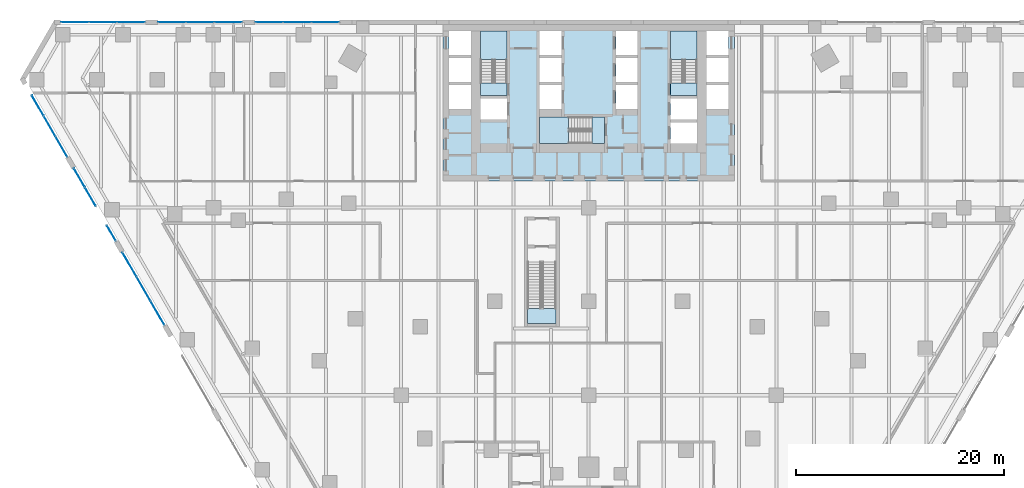
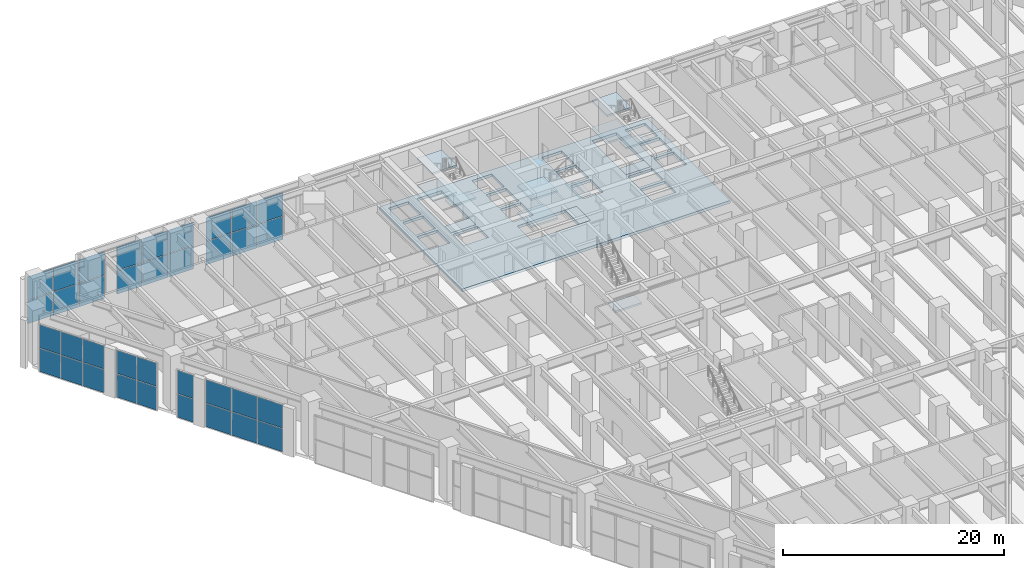
# One storey, part 28 of 37: 36 plates, 14 slabs, 11 elements without a shape of their own.
"""IFC4 building model written with IfcOpenShell, lengths in metres."""

import ifcopenshell
import ifcopenshell.guid

model = None  # the IFC model being written
_history = None  # IfcOwnerHistory: only IFC2X3 demands one
_inside = {}  # id of a spatial element -> (the spatial element, [elements in it])
_under = {}  # id of a project, library or spatial element -> (it, [spatial elements below it])
_declared = {}  # id of a project -> (the project, [libraries it declares])
_typed = {}  # id of a type object -> (the type object, [elements of that type])
_made_of = {}  # id of a material, layer set ... -> (it, [elements and type objects made of it])


def new_model(schema):
    """Start an empty IFC model of exactly this schema.

    Asked for "IFC4X3", IfcOpenShell would pick the latest addendum, in which some entities
    have other attributes; the version numbers below select the first issue.
    IFC2X3 requires an IfcOwnerHistory on every rooted entity: one is made here for all.
    """
    global model, _history
    if schema == "IFC4X3":
        model = ifcopenshell.file(schema_version=(4, 3, 0, 0))
    else:
        model = ifcopenshell.file(schema=schema)
    _inside.clear()
    _under.clear()
    _declared.clear()
    _typed.clear()
    _made_of.clear()
    _history = None
    if model.schema == "IFC2X3":
        org = make("IfcOrganization", Name="unknown")
        user = make(
            "IfcPersonAndOrganization",
            ThePerson=make("IfcPerson", FamilyName="unknown"),
            TheOrganization=org,
        )
        app = make(
            "IfcApplication",
            ApplicationDeveloper=org,
            Version="unknown",
            ApplicationFullName="unknown",
            ApplicationIdentifier="unknown",
        )
        _history = make(
            "IfcOwnerHistory",
            OwningUser=user,
            OwningApplication=app,
            ChangeAction="ADDED",
            CreationDate=0,
        )
    return model


def make(cls, **values):
    """One entity of the class cls with the attributes given. An attribute that is None is left unset."""
    return model.create_entity(
        cls, **{name: value for name, value in values.items() if value is not None}
    )


def rooted(cls, **values):
    """An entity with a GlobalId (a new one), such as an element, a storey or a relation."""
    return make(cls, GlobalId=ifcopenshell.guid.new(), OwnerHistory=_history, **values)


def si_unit(unit_type, name, prefix=None):
    """IfcSIUnit, for example si_unit("LENGTHUNIT", "METRE", prefix="MILLI")."""
    return make("IfcSIUnit", UnitType=unit_type, Prefix=prefix, Name=name)


def assignment(units):
    """IfcUnitAssignment: the units of a project."""
    return None if units is None else make("IfcUnitAssignment", Units=units)


def point(xyz):
    """IfcCartesianPoint."""
    return None if xyz is None else make("IfcCartesianPoint", Coordinates=xyz)


def direction(xyz):
    """IfcDirection."""
    return None if xyz is None else make("IfcDirection", DirectionRatios=xyz)


def frame(location, z_axis=None, x_axis=None):
    """IfcAxis2Placement3D, a coordinate frame: its origin and axes. An axis left out is left unset."""
    return make(
        "IfcAxis2Placement3D",
        Location=point(location),
        Axis=direction(z_axis),
        RefDirection=direction(x_axis),
    )


def frame_2d(location, x_axis=None):
    """IfcAxis2Placement2D, a coordinate frame in the plane: its origin and x axis."""
    return make(
        "IfcAxis2Placement2D", Location=point(location), RefDirection=direction(x_axis)
    )


def origin():
    """The frame at (0, 0, 0) with its axes left unset."""
    return frame((0.0, 0.0, 0.0))


def origin_2d():
    """The frame at (0, 0) in the plane with its x axis left unset."""
    return frame_2d((0.0, 0.0))


def place(relative_to, where):
    """IfcLocalPlacement: puts the frame where relative to a parent placement (None: the world)."""
    return make(
        "IfcLocalPlacement", PlacementRelTo=relative_to, RelativePlacement=where
    )


def context(
    kind, dimensions, precision=None, world=None, true_north=None, identifier=None
):
    """IfcGeometricRepresentationContext, for example the 3D "Model" context."""
    return make(
        "IfcGeometricRepresentationContext",
        ContextIdentifier=identifier,
        ContextType=kind,
        CoordinateSpaceDimension=dimensions,
        Precision=precision,
        WorldCoordinateSystem=world,
        TrueNorth=true_north,
    )


def subcontext(parent, identifier, kind, view, scale=None):
    """IfcGeometricRepresentationSubContext, for example "Body" below "Model"."""
    return make(
        "IfcGeometricRepresentationSubContext",
        ContextIdentifier=identifier,
        ContextType=kind,
        ParentContext=parent,
        TargetScale=scale,
        TargetView=view,
    )


def project(units=None, contexts=None):
    """IfcProject with its units and contexts."""
    return rooted(
        "IfcProject",
        Name="project",
        RepresentationContexts=contexts,
        UnitsInContext=assignment(units),
    )


def spatial(cls, under=None, at=None, **own):
    """A site, building, storey or space (cls), placed at a placement, below another one or the project."""
    s = rooted(cls, ObjectPlacement=at, **own)
    if under is not None:
        _under.setdefault(under.id(), (under, []))[1].append(s)
    return s


def polyline(points):
    """IfcPolyline through the points."""
    return make("IfcPolyline", Points=[point(p) for p in points])


def profile(cls, at=None, kind="AREA", **sizes):
    """A parametric profile (cls). Its sizes go by their IFC names, for example OverallWidth=200.0."""
    return make(cls, ProfileType=kind, Position=at, **sizes)


def rectangle(**sizes):
    """IfcRectangleProfileDef."""
    return profile("IfcRectangleProfileDef", **sizes)


def outline(outer, holes=None, kind="AREA"):
    """IfcArbitraryClosedProfileDef: a profile drawn as a closed curve; with holes, ...WithVoids."""
    if holes is None:
        return make("IfcArbitraryClosedProfileDef", ProfileType=kind, OuterCurve=outer)
    return make(
        "IfcArbitraryProfileDefWithVoids",
        ProfileType=kind,
        OuterCurve=outer,
        InnerCurves=holes,
    )


def extrude(swept, where, along, depth):
    """IfcExtrudedAreaSolid: the profile swept, set in the frame where, extruded along a direction by depth."""
    return make(
        "IfcExtrudedAreaSolid",
        SweptArea=swept,
        Position=where,
        ExtrudedDirection=direction(along),
        Depth=depth,
    )


def shape(context_of_items, identifier, shape_type, items):
    """IfcShapeRepresentation: the items that make up one representation, for example the "Body"."""
    return make(
        "IfcShapeRepresentation",
        ContextOfItems=context_of_items,
        RepresentationIdentifier=identifier,
        RepresentationType=shape_type,
        Items=items,
    )


def material(Name=None, Category=None):
    """IfcMaterial."""
    return make("IfcMaterial", Name=Name, Category=Category)


def layer(
    of_material, thickness, ventilated=None, Name=None, Category=None, Priority=None
):
    """IfcMaterialLayer: one layer of a wall or slab, of a material (None: an air gap)."""
    return make(
        "IfcMaterialLayer",
        Material=of_material,
        LayerThickness=thickness,
        IsVentilated=ventilated,
        Name=Name,
        Category=Category,
        Priority=Priority,
    )


def layer_set(layers, Name=None):
    """IfcMaterialLayerSet."""
    return make("IfcMaterialLayerSet", MaterialLayers=layers, LayerSetName=Name)


def made_of(thing, what):
    """Note that an element or type object is made of a material, layer set ...; save() writes the relation."""
    if what is not None:
        _made_of.setdefault(what.id(), (what, []))[1].append(thing)
    return thing


def type_object(cls, material=None, **own):
    """A type object (cls), such as IfcWallType, which elements share."""
    return made_of(rooted(cls, **own), material)


def element(
    cls,
    number,
    at=None,
    inside=None,
    cuts=None,
    type_object=None,
    material=None,
    context=None,
    identifier="Body",
    shape_type=None,
    held_by="IfcProductDefinitionShape",
    body=None,
    shapes=None,
    **own,
):
    """One element of the class cls, such as IfcWall. Its Tag is "e" and its number.

    at: its placement. inside: the storey or other place that contains it. cuts: it is an
    opening in that element (IfcRelVoidsElement). A single representation is given by context,
    identifier, shape_type and body (its items); several are given by shapes. held_by: the class
    of the entity that holds the representations. save() writes the other relations.
    """
    e = rooted(cls, Tag="e%d" % number, ObjectPlacement=at, **own)
    if body is not None:
        shapes = [shape(context, identifier, shape_type, body)]
    if shapes is not None:
        e.Representation = make(held_by, Representations=shapes)
    if inside is not None:
        _inside.setdefault(inside.id(), (inside, []))[1].append(e)
    if cuts is not None:
        rooted(
            "IfcRelVoidsElement", RelatingBuildingElement=cuts, RelatedOpeningElement=e
        )
    if type_object is not None:
        _typed.setdefault(type_object.id(), (type_object, []))[1].append(e)
    return made_of(e, material)


def aggregate(whole, parts):
    """IfcRelAggregates: a whole, such as a stair, and the parts it consists of."""
    return rooted("IfcRelAggregates", RelatingObject=whole, RelatedObjects=parts)


def save(model, path):
    """Write the relations noted so far, then the file.

    IfcRelAggregates (storeys below a building ...), IfcRelContainedInSpatialStructure (elements
    in a storey), IfcRelDefinesByType, IfcRelAssociatesMaterial and IfcRelDeclares: one each for
    every whole, place, type object, material and project.
    """
    for whole, parts in _under.values():
        aggregate(whole, parts)
    for where, things in _inside.values():
        rooted(
            "IfcRelContainedInSpatialStructure",
            RelatedElements=things,
            RelatingStructure=where,
        )
    for kind, things in _typed.values():
        rooted("IfcRelDefinesByType", RelatedObjects=things, RelatingType=kind)
    for what, things in _made_of.values():
        rooted("IfcRelAssociatesMaterial", RelatedObjects=things, RelatingMaterial=what)
    for by, libraries in _declared.values():
        rooted("IfcRelDeclares", RelatingContext=by, RelatedDefinitions=libraries)
    model.write(path)


model = new_model("IFC4")

# Units and contexts
model_context = context("Model", 3, precision=1e-05, world=origin(), true_north=direction((0.0, 1.0)))
body_context = subcontext(model_context, "Body", "Model", "MODEL_VIEW")
ifc_project = project(units=[si_unit("LENGTHUNIT", "METRE"), si_unit("AREAUNIT", "SQUARE_METRE"), si_unit("VOLUMEUNIT", "CUBIC_METRE"), si_unit("PLANEANGLEUNIT", "RADIAN"), si_unit("MASSUNIT", "GRAM", prefix="KILO")], contexts=[model_context])

# Site, building, storey
site_placement = place(None, origin())
site = spatial("IfcSite", under=ifc_project, at=site_placement, CompositionType="ELEMENT")
building_placement = place(site_placement, origin())
building = spatial("IfcBuilding", under=site, at=building_placement, Name="Aloe Facet Convention Tower", CompositionType="ELEMENT")
storey_placement = place(building_placement, frame((0.0, 0.0, 7.5)))
storey = spatial("IfcBuildingStorey", under=building, at=storey_placement, Name="L01", CompositionType="ELEMENT", Elevation=7.5)

# Slabs
ifc_material_1 = material(Name="Concrete C80/95", Category="concrete")
ifc_layer_1 = layer(ifc_material_1, 0.300048828125)
ifc_layer_set_1 = layer_set([ifc_layer_1], Name="CR-S-FLOOR300-C8095")
slab_type_1 = type_object("IfcSlabType", Name="CR-S-FLOOR300-C8095", PredefinedType="FLOOR", material=ifc_layer_set_1)
slab_1_placement = place(storey_placement, frame((0.0, 0.0, -0.300048828125)))
element("IfcSlab", 1, at=slab_1_placement, inside=storey, type_object=slab_type_1, Name="Stair landing floor L01", PredefinedType="FLOOR", context=body_context, shape_type="SweptSolid", body=[
    extrude(outline(polyline([(72.14990234375, 127.75), (72.14990234375, 128.951171875), (69.60009765625, 128.951171875), (69.60009765625, 127.75), (72.14990234375, 127.75)])), origin(), (0.0, 0.0, 1.0), 0.300048828125),
])
slab_2_placement = place(storey_placement, frame((0.0, 0.0, -0.300048828125)))
element("IfcSlab", 2, at=slab_2_placement, inside=storey, type_object=slab_type_1, Name="Stair landing floor L01", PredefinedType="FLOOR", context=body_context, shape_type="SweptSolid", body=[
    extrude(outline(polyline([(90.39990234375, 127.75), (90.39990234375, 128.951171875), (87.85009765625, 128.951171875), (87.85009765625, 127.75), (90.39990234375, 127.75)])), origin(), (0.0, 0.0, 1.0), 0.300048828125),
])
slab_3_placement = place(storey_placement, frame((0.0, 0.0, -0.300048828125)))
element("IfcSlab", 3, at=slab_3_placement, inside=storey, type_object=slab_type_1, Name="Stair landing floor L01", PredefinedType="FLOOR", context=body_context, shape_type="SweptSolid", body=[
    extrude(outline(polyline([(81.5, 125.699951171875), (80.298828125, 125.699951171875), (80.298828125, 123.14990234375), (81.5, 123.14990234375), (81.5, 125.699951171875)])), origin(), (0.0, 0.0, 1.0), 0.300048828125),
])
slab_4_placement = place(storey_placement, frame((0.0, 0.0, -0.300048828125)))
element("IfcSlab", 4, at=slab_4_placement, inside=storey, type_object=slab_type_1, Name="Core floor L01", PredefinedType="FLOOR", context=body_context, shape_type="SweptSolid", body=[
    extrude(outline(polyline([(69.300048828125, 134.550048828125), (71.85009765625, 134.550048828125), (72.75, 134.550048828125), (74.699951171875, 134.550048828125), (75.60009765625, 134.550048828125), (77.10009765625, 134.550048828125), (78.0, 134.550048828125), (82.0, 134.550048828125), (82.89990234375, 134.550048828125), (84.39990234375, 134.550048828125), (85.300048828125, 134.550048828125), (87.25, 134.550048828125), (88.14990234375, 134.550048828125), (90.699951171875, 134.550048828125), (91.0, 134.550048828125), (94.0, 134.550048828125), (94.0, 131.949951171875), (94.0, 131.050048828125), (94.0, 129.35009765625), (94.0, 128.449951171875), (94.0, 126.449951171875), (94.0, 125.85009765625), (94.0, 123.57373046875), (94.0, 122.523681640625), (94.0, 119.550048828125), (91.300048828125, 119.550048828125), (90.699951171875, 119.550048828125), (89.60009765625, 119.550048828125), (88.550048828125, 119.550048828125), (87.89990234375, 119.550048828125), (86.85009765625, 119.550048828125), (85.699951171875, 119.550048828125), (84.64990234375, 119.550048828125), (83.699951171875, 119.550048828125), (82.64990234375, 119.550048828125), (81.75, 119.550048828125), (80.699951171875, 119.550048828125), (79.61669921875, 119.550048828125), (78.566650390625, 119.550048828125), (77.4833984375, 119.550048828125), (76.433349609375, 119.550048828125), (75.35009765625, 119.550048828125), (74.300048828125, 119.550048828125), (73.14990234375, 119.550048828125), (72.10009765625, 119.550048828125), (69.300048828125, 119.550048828125), (68.699951171875, 119.550048828125), (66.0, 119.550048828125), (66.0, 121.5), (66.0, 122.550048828125), (66.0, 123.639404296875), (66.0, 124.689453125), (66.0, 125.85009765625), (66.0, 126.449951171875), (66.0, 128.449951171875), (66.0, 129.35009765625), (66.0, 131.050048828125), (66.0, 131.949951171875), (66.0, 134.550048828125), (69.0, 134.550048828125), (69.300048828125, 134.550048828125)]), holes=[polyline([(75.300048828125, 123.14990234375), (80.298828125, 123.14990234375), (81.5, 123.14990234375), (81.5, 125.699951171875), (80.298828125, 125.699951171875), (75.300048828125, 125.699951171875), (75.300048828125, 123.14990234375)]), polyline([(69.60009765625, 125.449951171875), (72.14990234375, 125.449951171875), (72.14990234375, 127.449951171875), (69.60009765625, 127.449951171875), (69.60009765625, 125.449951171875)]), polyline([(66.60009765625, 126.449951171875), (68.699951171875, 126.449951171875), (68.699951171875, 128.75), (66.60009765625, 128.75), (66.60009765625, 126.449951171875)]), polyline([(75.300048828125, 126.449951171875), (77.39990234375, 126.449951171875), (77.39990234375, 128.75), (75.300048828125, 128.75), (75.300048828125, 126.449951171875)]), polyline([(66.60009765625, 129.050048828125), (68.699951171875, 129.050048828125), (68.699951171875, 131.35009765625), (66.60009765625, 131.35009765625), (66.60009765625, 129.050048828125)]), polyline([(75.300048828125, 129.050048828125), (77.39990234375, 129.050048828125), (77.39990234375, 131.35009765625), (75.300048828125, 131.35009765625), (75.300048828125, 129.050048828125)]), polyline([(69.60009765625, 133.949951171875), (69.60009765625, 128.951171875), (69.60009765625, 127.75), (72.14990234375, 127.75), (72.14990234375, 128.951171875), (72.14990234375, 133.949951171875), (69.60009765625, 133.949951171875)]), polyline([(66.60009765625, 133.949951171875), (66.60009765625, 131.64990234375), (68.699951171875, 131.64990234375), (68.699951171875, 133.949951171875), (66.60009765625, 133.949951171875)]), polyline([(75.300048828125, 133.949951171875), (75.300048828125, 131.64990234375), (77.39990234375, 131.64990234375), (77.39990234375, 133.949951171875), (75.300048828125, 133.949951171875)]), polyline([(87.85009765625, 123.14990234375), (90.39990234375, 123.14990234375), (90.39990234375, 125.14990234375), (87.85009765625, 125.14990234375), (87.85009765625, 123.14990234375)]), polyline([(87.85009765625, 125.449951171875), (90.39990234375, 125.449951171875), (90.39990234375, 127.449951171875), (87.85009765625, 127.449951171875), (87.85009765625, 125.449951171875)]), polyline([(82.60009765625, 126.449951171875), (84.699951171875, 126.449951171875), (84.699951171875, 128.75), (82.60009765625, 128.75), (82.60009765625, 126.449951171875)]), polyline([(91.300048828125, 126.449951171875), (93.39990234375, 126.449951171875), (93.39990234375, 128.75), (91.300048828125, 128.75), (91.300048828125, 126.449951171875)]), polyline([(82.60009765625, 129.050048828125), (84.699951171875, 129.050048828125), (84.699951171875, 131.35009765625), (82.60009765625, 131.35009765625), (82.60009765625, 129.050048828125)]), polyline([(91.300048828125, 129.050048828125), (93.39990234375, 129.050048828125), (93.39990234375, 131.35009765625), (91.300048828125, 131.35009765625), (91.300048828125, 129.050048828125)]), polyline([(87.85009765625, 133.949951171875), (87.85009765625, 128.951171875), (87.85009765625, 127.75), (90.39990234375, 127.75), (90.39990234375, 128.951171875), (90.39990234375, 133.949951171875), (87.85009765625, 133.949951171875)]), polyline([(82.60009765625, 133.949951171875), (82.60009765625, 131.64990234375), (84.699951171875, 131.64990234375), (84.699951171875, 133.949951171875), (82.60009765625, 133.949951171875)]), polyline([(91.300048828125, 133.949951171875), (91.300048828125, 131.64990234375), (93.39990234375, 131.64990234375), (93.39990234375, 133.949951171875), (91.300048828125, 133.949951171875)])]), origin(), (0.0, 0.0, 1.0), 0.300048828125),
])

# Stair, slabs
ifc_material_2 = material(Name="Concrete C50/60", Category="concrete")
stair_type_1 = type_object("IfcStairType", Name="CR-ST-36R", PredefinedType="HALF_TURN_STAIR", material=ifc_material_2)
stair_1_placement = place(storey_placement, origin())
stair_1 = element("IfcStair", 5, at=stair_1_placement, inside=storey, type_object=stair_type_1, Name="L01 Protected exit stair ST1", PredefinedType="HALF_TURN_STAIR")
ifc_material_3 = material(Name="Concrete C50/60", Category="concrete")
ifc_layer_2 = layer(ifc_material_3, 0.199951171875)
ifc_layer_set_2 = layer_set([ifc_layer_2], Name="CR-SL-LANDING")
slab_type_2 = type_object("IfcSlabType", Name="CR-SL-LANDING", PredefinedType="LANDING", material=ifc_layer_set_2)
slab_5_placement = place(storey_placement, frame((0.0, 0.0, 1.300048828125)))
slab_5 = element("IfcSlab", 6, at=slab_5_placement, type_object=slab_type_2, Name="ST1 landing 1", PredefinedType="LANDING", context=body_context, shape_type="SweptSolid", body=[
    extrude(outline(polyline([(72.14990234375, 131.18994140625), (72.14990234375, 133.949951171875), (69.60009765625, 133.949951171875), (69.60009765625, 131.18994140625), (72.14990234375, 131.18994140625)])), origin(), (0.0, 0.0, 1.0), 0.199951171875),
])
slab_6_placement = place(storey_placement, frame((0.0, 0.0, 2.800048828125)))
slab_6 = element("IfcSlab", 7, at=slab_6_placement, type_object=slab_type_2, Name="ST1 landing 2", PredefinedType="LANDING", context=body_context, shape_type="SweptSolid", body=[
    extrude(outline(polyline([(72.14990234375, 127.75), (72.14990234375, 128.949951171875), (69.60009765625, 128.949951171875), (69.60009765625, 127.75), (72.14990234375, 127.75)])), origin(), (0.0, 0.0, 1.0), 0.199951171875),
])
slab_7_placement = place(storey_placement, frame((0.0, 0.0, 4.300048828125)))
slab_7 = element("IfcSlab", 8, at=slab_7_placement, type_object=slab_type_2, Name="ST1 landing 3", PredefinedType="LANDING", context=body_context, shape_type="SweptSolid", body=[
    extrude(outline(polyline([(72.14990234375, 131.18994140625), (72.14990234375, 133.949951171875), (69.60009765625, 133.949951171875), (69.60009765625, 131.18994140625), (72.14990234375, 131.18994140625)])), origin(), (0.0, 0.0, 1.0), 0.199951171875),
])
aggregate(stair_1, [slab_5, slab_6, slab_7])

stair_2_placement = place(storey_placement, origin())
stair_2 = element("IfcStair", 9, at=stair_2_placement, inside=storey, type_object=stair_type_1, Name="L01 Protected exit stair ST2", PredefinedType="HALF_TURN_STAIR")
slab_8_placement = place(storey_placement, frame((0.0, 0.0, 1.300048828125)))
slab_8 = element("IfcSlab", 10, at=slab_8_placement, type_object=slab_type_2, Name="ST2 landing 1", PredefinedType="LANDING", context=body_context, shape_type="SweptSolid", body=[
    extrude(outline(polyline([(90.39990234375, 131.18994140625), (90.39990234375, 133.949951171875), (87.85009765625, 133.949951171875), (87.85009765625, 131.18994140625), (90.39990234375, 131.18994140625)])), origin(), (0.0, 0.0, 1.0), 0.199951171875),
])
slab_9_placement = place(storey_placement, frame((0.0, 0.0, 2.800048828125)))
slab_9 = element("IfcSlab", 11, at=slab_9_placement, type_object=slab_type_2, Name="ST2 landing 2", PredefinedType="LANDING", context=body_context, shape_type="SweptSolid", body=[
    extrude(outline(polyline([(90.39990234375, 127.75), (90.39990234375, 128.949951171875), (87.85009765625, 128.949951171875), (87.85009765625, 127.75), (90.39990234375, 127.75)])), origin(), (0.0, 0.0, 1.0), 0.199951171875),
])
slab_10_placement = place(storey_placement, frame((0.0, 0.0, 4.300048828125)))
slab_10 = element("IfcSlab", 12, at=slab_10_placement, type_object=slab_type_2, Name="ST2 landing 3", PredefinedType="LANDING", context=body_context, shape_type="SweptSolid", body=[
    extrude(outline(polyline([(90.39990234375, 131.18994140625), (90.39990234375, 133.949951171875), (87.85009765625, 133.949951171875), (87.85009765625, 131.18994140625), (90.39990234375, 131.18994140625)])), origin(), (0.0, 0.0, 1.0), 0.199951171875),
])
aggregate(stair_2, [slab_8, slab_9, slab_10])

stair_3_placement = place(storey_placement, origin())
stair_3 = element("IfcStair", 13, at=stair_3_placement, inside=storey, type_object=stair_type_1, Name="L01 Protected exit stair ST3", PredefinedType="HALF_TURN_STAIR")
slab_11_placement = place(storey_placement, frame((0.0, 0.0, 1.300048828125)))
slab_11 = element("IfcSlab", 14, at=slab_11_placement, type_object=slab_type_2, Name="ST3 landing 1", PredefinedType="LANDING", context=body_context, shape_type="SweptSolid", body=[
    extrude(outline(polyline([(78.06005859375, 125.699951171875), (75.300048828125, 125.699951171875), (75.300048828125, 123.14990234375), (78.06005859375, 123.14990234375), (78.06005859375, 125.699951171875)])), origin(), (0.0, 0.0, 1.0), 0.199951171875),
])
slab_12_placement = place(storey_placement, frame((0.0, 0.0, 2.800048828125)))
slab_12 = element("IfcSlab", 15, at=slab_12_placement, type_object=slab_type_2, Name="ST3 landing 2", PredefinedType="LANDING", context=body_context, shape_type="SweptSolid", body=[
    extrude(outline(polyline([(81.5, 125.699951171875), (80.300048828125, 125.699951171875), (80.300048828125, 123.14990234375), (81.5, 123.14990234375), (81.5, 125.699951171875)])), origin(), (0.0, 0.0, 1.0), 0.199951171875),
])
slab_13_placement = place(storey_placement, frame((0.0, 0.0, 4.300048828125)))
slab_13 = element("IfcSlab", 16, at=slab_13_placement, type_object=slab_type_2, Name="ST3 landing 3", PredefinedType="LANDING", context=body_context, shape_type="SweptSolid", body=[
    extrude(outline(polyline([(78.06005859375, 125.699951171875), (75.300048828125, 125.699951171875), (75.300048828125, 123.14990234375), (78.06005859375, 123.14990234375), (78.06005859375, 125.699951171875)])), origin(), (0.0, 0.0, 1.0), 0.199951171875),
])
aggregate(stair_3, [slab_11, slab_12, slab_13])

# Stair, slab
ifc_material_4 = material(Name="Concrete C50/60", Category="concrete")
stair_type_2 = type_object("IfcStairType", Name="CR-ST-34R-W1300", PredefinedType="HALF_TURN_STAIR", material=ifc_material_4)
stair_4_placement = place(storey_placement, origin())
stair_4 = element("IfcStair", 17, at=stair_4_placement, inside=storey, type_object=stair_type_2, Name="L01 Protected exit stair ST5", PredefinedType="HALF_TURN_STAIR")
slab_14_placement = place(storey_placement, frame((0.0, 0.0, 2.800048828125)))
slab_14 = element("IfcSlab", 18, at=slab_14_placement, type_object=slab_type_2, Name="ST5 landing 1", PredefinedType="LANDING", context=body_context, shape_type="SweptSolid", body=[
    extrude(outline(polyline([(74.125, 107.320068359375), (74.125, 105.89990234375), (76.875, 105.89990234375), (76.875, 107.320068359375), (74.125, 107.320068359375)])), origin(), (0.0, 0.0, 1.0), 0.199951171875),
])
aggregate(stair_4, [slab_14])

# Curtain wall, plates
ifc_material_5 = material(Name="Aluminium, anodised", Category="aluminium")
curtain_wall_type = type_object("IfcCurtainWallType", Name="EV-CW-SHOP", PredefinedType="USERDEFINED", material=ifc_material_5)
curtain_wall_1_placement = place(storey_placement, origin())
curtain_wall_1 = element("IfcCurtainWall", 19, at=curtain_wall_1_placement, inside=storey, type_object=curtain_wall_type, Name="CW-L01-N18", ObjectType="STICK SHOPFRONT GLAZING", PredefinedType="USERDEFINED")
ifc_material_6 = material(Name="Clear double glazing", Category="glass")
ifc_layer_3 = layer(ifc_material_6, 0.028076171875)
ifc_layer_set_3 = layer_set([ifc_layer_3], Name="EV-PANEL-SHOP")
plate_type = type_object("IfcPlateType", Name="EV-PANEL-SHOP", PredefinedType="CURTAIN_PANEL", material=ifc_layer_set_3)
plate_1_placement = place(storey_placement, frame((54.72802734375, 134.77490234375, -0.23974609375), z_axis=(0.0, 0.0, 1.0), x_axis=(-1.0, 0.0, 0.0)))
plate_1 = element("IfcPlate", 20, at=plate_1_placement, type_object=plate_type, Name="CW-L01-N18 panel 1.1", PredefinedType="CURTAIN_PANEL", context=body_context, shape_type="SweptSolid", body=[
    extrude(rectangle(XDim=2.6171875, YDim=0.028076171875, at=origin_2d()), origin(), (0.0, 0.0, 1.0), 2.566162109375),
])
plate_2_placement = place(storey_placement, frame((54.72802734375, 134.77490234375, 2.38623046875), z_axis=(0.0, 0.0, 1.0), x_axis=(-1.0, 0.0, 0.0)))
plate_2 = element("IfcPlate", 21, at=plate_2_placement, type_object=plate_type, Name="CW-L01-N18 panel 1.2", PredefinedType="CURTAIN_PANEL", context=body_context, shape_type="SweptSolid", body=[
    extrude(rectangle(XDim=2.6171875, YDim=0.028076171875, at=origin_2d()), origin(), (0.0, 0.0, 1.0), 2.566162109375),
])
plate_3_placement = place(storey_placement, frame((52.035888671875, 134.77490234375, -0.23974609375), z_axis=(0.0, 0.0, 1.0), x_axis=(-1.0, 0.0, 0.0)))
plate_3 = element("IfcPlate", 22, at=plate_3_placement, type_object=plate_type, Name="CW-L01-N18 panel 2.1", PredefinedType="CURTAIN_PANEL", context=body_context, shape_type="SweptSolid", body=[
    extrude(rectangle(XDim=2.647216796875, YDim=0.028076171875, at=origin_2d()), origin(), (0.0, 0.0, 1.0), 2.566162109375),
])
plate_4_placement = place(storey_placement, frame((52.035888671875, 134.77490234375, 2.38623046875), z_axis=(0.0, 0.0, 1.0), x_axis=(-1.0, 0.0, 0.0)))
plate_4 = element("IfcPlate", 23, at=plate_4_placement, type_object=plate_type, Name="CW-L01-N18 panel 2.2", PredefinedType="CURTAIN_PANEL", context=body_context, shape_type="SweptSolid", body=[
    extrude(rectangle(XDim=2.647216796875, YDim=0.028076171875, at=origin_2d()), origin(), (0.0, 0.0, 1.0), 2.566162109375),
])
plate_5_placement = place(storey_placement, frame((49.34375, 134.77490234375, -0.23974609375), z_axis=(0.0, 0.0, 1.0), x_axis=(-1.0, 0.0, 0.0)))
plate_5 = element("IfcPlate", 24, at=plate_5_placement, type_object=plate_type, Name="CW-L01-N18 panel 3.1", PredefinedType="CURTAIN_PANEL", context=body_context, shape_type="SweptSolid", body=[
    extrude(rectangle(XDim=2.6171875, YDim=0.028076171875, at=origin_2d()), origin(), (0.0, 0.0, 1.0), 2.566162109375),
])
plate_6_placement = place(storey_placement, frame((49.34375, 134.77490234375, 2.38623046875), z_axis=(0.0, 0.0, 1.0), x_axis=(-1.0, 0.0, 0.0)))
plate_6 = element("IfcPlate", 25, at=plate_6_placement, type_object=plate_type, Name="CW-L01-N18 panel 3.2", PredefinedType="CURTAIN_PANEL", context=body_context, shape_type="SweptSolid", body=[
    extrude(rectangle(XDim=2.6171875, YDim=0.028076171875, at=origin_2d()), origin(), (0.0, 0.0, 1.0), 2.566162109375),
])
aggregate(curtain_wall_1, [plate_1, plate_2, plate_3, plate_4, plate_5, plate_6])

curtain_wall_2_placement = place(storey_placement, origin())
curtain_wall_2 = element("IfcCurtainWall", 26, at=curtain_wall_2_placement, inside=storey, type_object=curtain_wall_type, Name="CW-L01-N20", ObjectType="STICK SHOPFRONT GLAZING", PredefinedType="USERDEFINED")
plate_7_placement = place(storey_placement, frame((45.40673828125, 134.77490234375, -0.23974609375), z_axis=(0.0, 0.0, 1.0), x_axis=(-1.0, 0.0, 0.0)))
plate_7 = element("IfcPlate", 27, at=plate_7_placement, type_object=plate_type, Name="CW-L01-N20 panel 1.1", PredefinedType="CURTAIN_PANEL", context=body_context, shape_type="SweptSolid", body=[
    extrude(rectangle(XDim=2.6171875, YDim=0.028076171875, at=origin_2d()), origin(), (0.0, 0.0, 1.0), 2.566162109375),
])
plate_8_placement = place(storey_placement, frame((45.40673828125, 134.77490234375, 2.38623046875), z_axis=(0.0, 0.0, 1.0), x_axis=(-1.0, 0.0, 0.0)))
plate_8 = element("IfcPlate", 28, at=plate_8_placement, type_object=plate_type, Name="CW-L01-N20 panel 1.2", PredefinedType="CURTAIN_PANEL", context=body_context, shape_type="SweptSolid", body=[
    extrude(rectangle(XDim=2.6171875, YDim=0.028076171875, at=origin_2d()), origin(), (0.0, 0.0, 1.0), 2.566162109375),
])
plate_9_placement = place(storey_placement, frame((42.714599609375, 134.77490234375, -0.23974609375), z_axis=(0.0, 0.0, 1.0), x_axis=(-1.0, 0.0, 0.0)))
plate_9 = element("IfcPlate", 29, at=plate_9_placement, type_object=plate_type, Name="CW-L01-N20 panel 2.1", PredefinedType="CURTAIN_PANEL", context=body_context, shape_type="SweptSolid", body=[
    extrude(rectangle(XDim=2.647216796875, YDim=0.028076171875, at=origin_2d()), origin(), (0.0, 0.0, 1.0), 2.566162109375),
])
plate_10_placement = place(storey_placement, frame((42.714599609375, 134.77490234375, 2.38623046875), z_axis=(0.0, 0.0, 1.0), x_axis=(-1.0, 0.0, 0.0)))
plate_10 = element("IfcPlate", 30, at=plate_10_placement, type_object=plate_type, Name="CW-L01-N20 panel 2.2", PredefinedType="CURTAIN_PANEL", context=body_context, shape_type="SweptSolid", body=[
    extrude(rectangle(XDim=2.647216796875, YDim=0.028076171875, at=origin_2d()), origin(), (0.0, 0.0, 1.0), 2.566162109375),
])
plate_11_placement = place(storey_placement, frame((40.0224609375, 134.77490234375, -0.23974609375), z_axis=(0.0, 0.0, 1.0), x_axis=(-1.0, 0.0, 0.0)))
plate_11 = element("IfcPlate", 31, at=plate_11_placement, type_object=plate_type, Name="CW-L01-N20 panel 3.1", PredefinedType="CURTAIN_PANEL", context=body_context, shape_type="SweptSolid", body=[
    extrude(rectangle(XDim=2.6171875, YDim=0.028076171875, at=origin_2d()), origin(), (0.0, 0.0, 1.0), 2.566162109375),
])
plate_12_placement = place(storey_placement, frame((40.0224609375, 134.77490234375, 2.38623046875), z_axis=(0.0, 0.0, 1.0), x_axis=(-1.0, 0.0, 0.0)))
plate_12 = element("IfcPlate", 32, at=plate_12_placement, type_object=plate_type, Name="CW-L01-N20 panel 3.2", PredefinedType="CURTAIN_PANEL", context=body_context, shape_type="SweptSolid", body=[
    extrude(rectangle(XDim=2.6171875, YDim=0.028076171875, at=origin_2d()), origin(), (0.0, 0.0, 1.0), 2.566162109375),
])
aggregate(curtain_wall_2, [plate_7, plate_8, plate_9, plate_10, plate_11, plate_12])

curtain_wall_3_placement = place(storey_placement, origin())
curtain_wall_3 = element("IfcCurtainWall", 33, at=curtain_wall_3_placement, inside=storey, type_object=curtain_wall_type, Name="CW-L01-N22", ObjectType="STICK SHOPFRONT GLAZING", PredefinedType="USERDEFINED")
plate_13_placement = place(storey_placement, frame((36.085205078125, 134.77490234375, -0.23974609375), z_axis=(0.0, 0.0, 1.0), x_axis=(-1.0, 0.0, 0.0)))
plate_13 = element("IfcPlate", 34, at=plate_13_placement, type_object=plate_type, Name="CW-L01-N22 panel 1.1", PredefinedType="CURTAIN_PANEL", context=body_context, shape_type="SweptSolid", body=[
    extrude(rectangle(XDim=2.6171875, YDim=0.028076171875, at=origin_2d()), origin(), (0.0, 0.0, 1.0), 2.566162109375),
])
plate_14_placement = place(storey_placement, frame((36.085205078125, 134.77490234375, 2.38623046875), z_axis=(0.0, 0.0, 1.0), x_axis=(-1.0, 0.0, 0.0)))
plate_14 = element("IfcPlate", 35, at=plate_14_placement, type_object=plate_type, Name="CW-L01-N22 panel 1.2", PredefinedType="CURTAIN_PANEL", context=body_context, shape_type="SweptSolid", body=[
    extrude(rectangle(XDim=2.6171875, YDim=0.028076171875, at=origin_2d()), origin(), (0.0, 0.0, 1.0), 2.566162109375),
])
plate_15_placement = place(storey_placement, frame((33.39306640625, 134.77490234375, -0.23974609375), z_axis=(0.0, 0.0, 1.0), x_axis=(-1.0, 0.0, 0.0)))
plate_15 = element("IfcPlate", 36, at=plate_15_placement, type_object=plate_type, Name="CW-L01-N22 panel 2.1", PredefinedType="CURTAIN_PANEL", context=body_context, shape_type="SweptSolid", body=[
    extrude(rectangle(XDim=2.647216796875, YDim=0.028076171875, at=origin_2d()), origin(), (0.0, 0.0, 1.0), 2.566162109375),
])
plate_16_placement = place(storey_placement, frame((33.39306640625, 134.77490234375, 2.38623046875), z_axis=(0.0, 0.0, 1.0), x_axis=(-1.0, 0.0, 0.0)))
plate_16 = element("IfcPlate", 37, at=plate_16_placement, type_object=plate_type, Name="CW-L01-N22 panel 2.2", PredefinedType="CURTAIN_PANEL", context=body_context, shape_type="SweptSolid", body=[
    extrude(rectangle(XDim=2.647216796875, YDim=0.028076171875, at=origin_2d()), origin(), (0.0, 0.0, 1.0), 2.566162109375),
])
plate_17_placement = place(storey_placement, frame((30.700927734375, 134.77490234375, -0.23974609375), z_axis=(0.0, 0.0, 1.0), x_axis=(-1.0, 0.0, 0.0)))
plate_17 = element("IfcPlate", 38, at=plate_17_placement, type_object=plate_type, Name="CW-L01-N22 panel 3.1", PredefinedType="CURTAIN_PANEL", context=body_context, shape_type="SweptSolid", body=[
    extrude(rectangle(XDim=2.6171875, YDim=0.028076171875, at=origin_2d()), origin(), (0.0, 0.0, 1.0), 2.566162109375),
])
plate_18_placement = place(storey_placement, frame((30.700927734375, 134.77490234375, 2.38623046875), z_axis=(0.0, 0.0, 1.0), x_axis=(-1.0, 0.0, 0.0)))
plate_18 = element("IfcPlate", 39, at=plate_18_placement, type_object=plate_type, Name="CW-L01-N22 panel 3.2", PredefinedType="CURTAIN_PANEL", context=body_context, shape_type="SweptSolid", body=[
    extrude(rectangle(XDim=2.6171875, YDim=0.028076171875, at=origin_2d()), origin(), (0.0, 0.0, 1.0), 2.566162109375),
])
aggregate(curtain_wall_3, [plate_13, plate_14, plate_15, plate_16, plate_17, plate_18])

curtain_wall_4_placement = place(storey_placement, origin())
curtain_wall_4 = element("IfcCurtainWall", 40, at=curtain_wall_4_placement, inside=storey, type_object=curtain_wall_type, Name="CW-L01-W02", ObjectType="STICK SHOPFRONT GLAZING", PredefinedType="USERDEFINED")
plate_19_placement = place(storey_placement, frame((27.125244140625, 126.802001953125, -0.23974609375), z_axis=(0.0, 0.0, 1.0), x_axis=(0.499999999924, -0.866025403828, 0.0)))
plate_19 = element("IfcPlate", 41, at=plate_19_placement, type_object=plate_type, Name="CW-L01-W02 panel 1.1", PredefinedType="CURTAIN_PANEL", context=body_context, shape_type="SweptSolid", body=[
    extrude(rectangle(XDim=2.2060546875, YDim=0.028076171875, at=origin_2d()), origin(), (0.0, 0.0, 1.0), 2.566162109375),
])
plate_20_placement = place(storey_placement, frame((27.125244140625, 126.802001953125, 2.38623046875), z_axis=(0.0, 0.0, 1.0), x_axis=(0.499999999924, -0.866025403828, 0.0)))
plate_20 = element("IfcPlate", 42, at=plate_20_placement, type_object=plate_type, Name="CW-L01-W02 panel 1.2", PredefinedType="CURTAIN_PANEL", context=body_context, shape_type="SweptSolid", body=[
    extrude(rectangle(XDim=2.2060546875, YDim=0.028076171875, at=origin_2d()), origin(), (0.0, 0.0, 1.0), 2.566162109375),
])
plate_21_placement = place(storey_placement, frame((28.265869140625, 124.82666015625, -0.23974609375), z_axis=(0.0, 0.0, 1.0), x_axis=(0.499999999924, -0.866025403828, 0.0)))
plate_21 = element("IfcPlate", 43, at=plate_21_placement, type_object=plate_type, Name="CW-L01-W02 panel 2.1", PredefinedType="CURTAIN_PANEL", context=body_context, shape_type="SweptSolid", body=[
    extrude(rectangle(XDim=2.236083984375, YDim=0.028076171875, at=origin_2d()), origin(), (0.0, 0.0, 1.0), 2.566162109375),
])
plate_22_placement = place(storey_placement, frame((28.265869140625, 124.82666015625, 2.38623046875), z_axis=(0.0, 0.0, 1.0), x_axis=(0.499999999924, -0.866025403828, 0.0)))
plate_22 = element("IfcPlate", 44, at=plate_22_placement, type_object=plate_type, Name="CW-L01-W02 panel 2.2", PredefinedType="CURTAIN_PANEL", context=body_context, shape_type="SweptSolid", body=[
    extrude(rectangle(XDim=2.236083984375, YDim=0.028076171875, at=origin_2d()), origin(), (0.0, 0.0, 1.0), 2.566162109375),
])
plate_23_placement = place(storey_placement, frame((29.406494140625, 122.85107421875, -0.23974609375), z_axis=(0.0, 0.0, 1.0), x_axis=(0.499999999924, -0.866025403828, 0.0)))
plate_23 = element("IfcPlate", 45, at=plate_23_placement, type_object=plate_type, Name="CW-L01-W02 panel 3.1", PredefinedType="CURTAIN_PANEL", context=body_context, shape_type="SweptSolid", body=[
    extrude(rectangle(XDim=2.2060546875, YDim=0.028076171875, at=origin_2d()), origin(), (0.0, 0.0, 1.0), 2.566162109375),
])
plate_24_placement = place(storey_placement, frame((29.406494140625, 122.85107421875, 2.38623046875), z_axis=(0.0, 0.0, 1.0), x_axis=(0.499999999924, -0.866025403828, 0.0)))
plate_24 = element("IfcPlate", 46, at=plate_24_placement, type_object=plate_type, Name="CW-L01-W02 panel 3.2", PredefinedType="CURTAIN_PANEL", context=body_context, shape_type="SweptSolid", body=[
    extrude(rectangle(XDim=2.2060546875, YDim=0.028076171875, at=origin_2d()), origin(), (0.0, 0.0, 1.0), 2.566162109375),
])
aggregate(curtain_wall_4, [plate_19, plate_20, plate_21, plate_22, plate_23, plate_24])

curtain_wall_5_placement = place(storey_placement, origin())
curtain_wall_5 = element("IfcCurtainWall", 47, at=curtain_wall_5_placement, inside=storey, type_object=curtain_wall_type, Name="CW-L01-W04-1", ObjectType="STICK SHOPFRONT GLAZING", PredefinedType="USERDEFINED")
plate_25_placement = place(storey_placement, frame((31.13037109375, 119.864990234375, -0.23974609375), z_axis=(0.0, 0.0, 1.0), x_axis=(0.50000000003, -0.866025403767, 0.0)))
plate_25 = element("IfcPlate", 48, at=plate_25_placement, type_object=plate_type, Name="CW-L01-W04-1 panel 1.1", PredefinedType="CURTAIN_PANEL", context=body_context, shape_type="SweptSolid", body=[
    extrude(rectangle(XDim=2.0498046875, YDim=0.028076171875, at=origin_2d()), origin(), (0.0, 0.0, 1.0), 2.566162109375),
])
plate_26_placement = place(storey_placement, frame((31.13037109375, 119.864990234375, 2.38623046875), z_axis=(0.0, 0.0, 1.0), x_axis=(0.50000000003, -0.866025403767, 0.0)))
plate_26 = element("IfcPlate", 49, at=plate_26_placement, type_object=plate_type, Name="CW-L01-W04-1 panel 1.2", PredefinedType="CURTAIN_PANEL", context=body_context, shape_type="SweptSolid", body=[
    extrude(rectangle(XDim=2.0498046875, YDim=0.028076171875, at=origin_2d()), origin(), (0.0, 0.0, 1.0), 2.566162109375),
])
plate_27_placement = place(storey_placement, frame((32.185302734375, 118.0380859375, -0.23974609375), z_axis=(0.0, 0.0, 1.0), x_axis=(0.50000000003, -0.866025403767, 0.0)))
plate_27 = element("IfcPlate", 50, at=plate_27_placement, type_object=plate_type, Name="CW-L01-W04-1 panel 2.1", PredefinedType="CURTAIN_PANEL", context=body_context, shape_type="SweptSolid", body=[
    extrude(rectangle(XDim=2.0498046875, YDim=0.028076171875, at=origin_2d()), origin(), (0.0, 0.0, 1.0), 2.566162109375),
])
plate_28_placement = place(storey_placement, frame((32.185302734375, 118.0380859375, 2.38623046875), z_axis=(0.0, 0.0, 1.0), x_axis=(0.50000000003, -0.866025403767, 0.0)))
plate_28 = element("IfcPlate", 51, at=plate_28_placement, type_object=plate_type, Name="CW-L01-W04-1 panel 2.2", PredefinedType="CURTAIN_PANEL", context=body_context, shape_type="SweptSolid", body=[
    extrude(rectangle(XDim=2.0498046875, YDim=0.028076171875, at=origin_2d()), origin(), (0.0, 0.0, 1.0), 2.566162109375),
])
aggregate(curtain_wall_5, [plate_25, plate_26, plate_27, plate_28])

curtain_wall_6_placement = place(storey_placement, origin())
curtain_wall_6 = element("IfcCurtainWall", 52, at=curtain_wall_6_placement, inside=storey, type_object=curtain_wall_type, Name="CW-L01-W04-2", ObjectType="STICK SHOPFRONT GLAZING", PredefinedType="USERDEFINED")
plate_29_placement = place(storey_placement, frame((34.200439453125, 114.547607421875, -0.23974609375), z_axis=(0.0, 0.0, 1.0), x_axis=(0.499999999955, -0.866025403811, 0.0)))
plate_29 = element("IfcPlate", 53, at=plate_29_placement, type_object=plate_type, Name="CW-L01-W04-2 panel 1.1", PredefinedType="CURTAIN_PANEL", context=body_context, shape_type="SweptSolid", body=[
    extrude(rectangle(XDim=1.6728515625, YDim=0.028076171875, at=origin_2d()), origin(), (0.0, 0.0, 1.0), 2.566162109375),
])
plate_30_placement = place(storey_placement, frame((34.200439453125, 114.547607421875, 2.38623046875), z_axis=(0.0, 0.0, 1.0), x_axis=(0.499999999955, -0.866025403811, 0.0)))
plate_30 = element("IfcPlate", 54, at=plate_30_placement, type_object=plate_type, Name="CW-L01-W04-2 panel 1.2", PredefinedType="CURTAIN_PANEL", context=body_context, shape_type="SweptSolid", body=[
    extrude(rectangle(XDim=1.6728515625, YDim=0.028076171875, at=origin_2d()), origin(), (0.0, 0.0, 1.0), 2.566162109375),
])
aggregate(curtain_wall_6, [plate_29, plate_30])

curtain_wall_7_placement = place(storey_placement, origin())
curtain_wall_7 = element("IfcCurtainWall", 55, at=curtain_wall_7_placement, inside=storey, type_object=curtain_wall_type, Name="CW-L01-W06", ObjectType="STICK SHOPFRONT GLAZING", PredefinedType="USERDEFINED")
plate_31_placement = place(storey_placement, frame((35.93310546875, 111.546875, -0.23974609375), z_axis=(0.0, 0.0, 1.0), x_axis=(0.500000000015, -0.866025403776, 0.0)))
plate_31 = element("IfcPlate", 56, at=plate_31_placement, type_object=plate_type, Name="CW-L01-W06 panel 1.1", PredefinedType="CURTAIN_PANEL", context=body_context, shape_type="SweptSolid", body=[
    extrude(rectangle(XDim=2.6171875, YDim=0.028076171875, at=origin_2d()), origin(), (0.0, 0.0, 1.0), 2.566162109375),
])
plate_32_placement = place(storey_placement, frame((35.93310546875, 111.546875, 2.38623046875), z_axis=(0.0, 0.0, 1.0), x_axis=(0.500000000015, -0.866025403776, 0.0)))
plate_32 = element("IfcPlate", 57, at=plate_32_placement, type_object=plate_type, Name="CW-L01-W06 panel 1.2", PredefinedType="CURTAIN_PANEL", context=body_context, shape_type="SweptSolid", body=[
    extrude(rectangle(XDim=2.6171875, YDim=0.028076171875, at=origin_2d()), origin(), (0.0, 0.0, 1.0), 2.566162109375),
])
plate_33_placement = place(storey_placement, frame((37.279052734375, 109.21533203125, -0.23974609375), z_axis=(0.0, 0.0, 1.0), x_axis=(0.500000000015, -0.866025403776, 0.0)))
plate_33 = element("IfcPlate", 58, at=plate_33_placement, type_object=plate_type, Name="CW-L01-W06 panel 2.1", PredefinedType="CURTAIN_PANEL", context=body_context, shape_type="SweptSolid", body=[
    extrude(rectangle(XDim=2.647216796875, YDim=0.028076171875, at=origin_2d()), origin(), (0.0, 0.0, 1.0), 2.566162109375),
])
plate_34_placement = place(storey_placement, frame((37.279052734375, 109.21533203125, 2.38623046875), z_axis=(0.0, 0.0, 1.0), x_axis=(0.500000000015, -0.866025403776, 0.0)))
plate_34 = element("IfcPlate", 59, at=plate_34_placement, type_object=plate_type, Name="CW-L01-W06 panel 2.2", PredefinedType="CURTAIN_PANEL", context=body_context, shape_type="SweptSolid", body=[
    extrude(rectangle(XDim=2.647216796875, YDim=0.028076171875, at=origin_2d()), origin(), (0.0, 0.0, 1.0), 2.566162109375),
])
plate_35_placement = place(storey_placement, frame((38.625, 106.884033203125, -0.23974609375), z_axis=(0.0, 0.0, 1.0), x_axis=(0.500000000015, -0.866025403776, 0.0)))
plate_35 = element("IfcPlate", 60, at=plate_35_placement, type_object=plate_type, Name="CW-L01-W06 panel 3.1", PredefinedType="CURTAIN_PANEL", context=body_context, shape_type="SweptSolid", body=[
    extrude(rectangle(XDim=2.6171875, YDim=0.028076171875, at=origin_2d()), origin(), (0.0, 0.0, 1.0), 2.566162109375),
])
plate_36_placement = place(storey_placement, frame((38.625, 106.884033203125, 2.38623046875), z_axis=(0.0, 0.0, 1.0), x_axis=(0.500000000015, -0.866025403776, 0.0)))
plate_36 = element("IfcPlate", 61, at=plate_36_placement, type_object=plate_type, Name="CW-L01-W06 panel 3.2", PredefinedType="CURTAIN_PANEL", context=body_context, shape_type="SweptSolid", body=[
    extrude(rectangle(XDim=2.6171875, YDim=0.028076171875, at=origin_2d()), origin(), (0.0, 0.0, 1.0), 2.566162109375),
])
aggregate(curtain_wall_7, [plate_31, plate_32, plate_33, plate_34, plate_35, plate_36])

save(model, "model.ifc")
